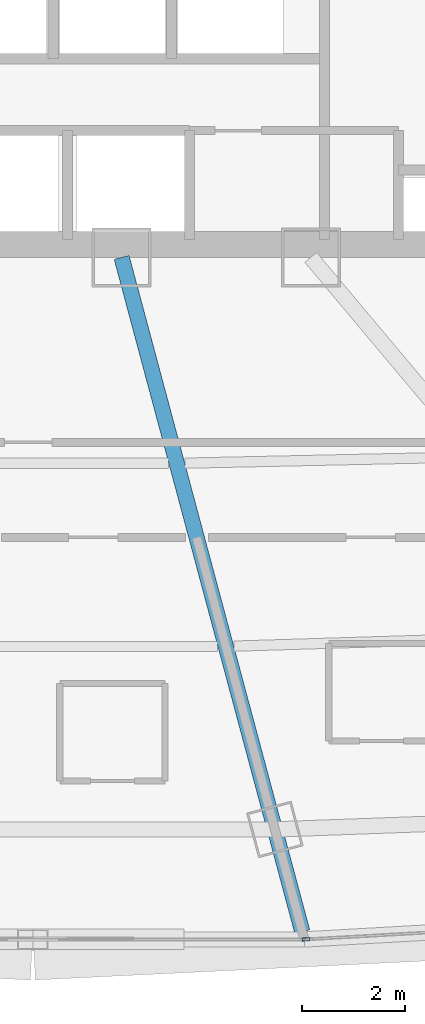
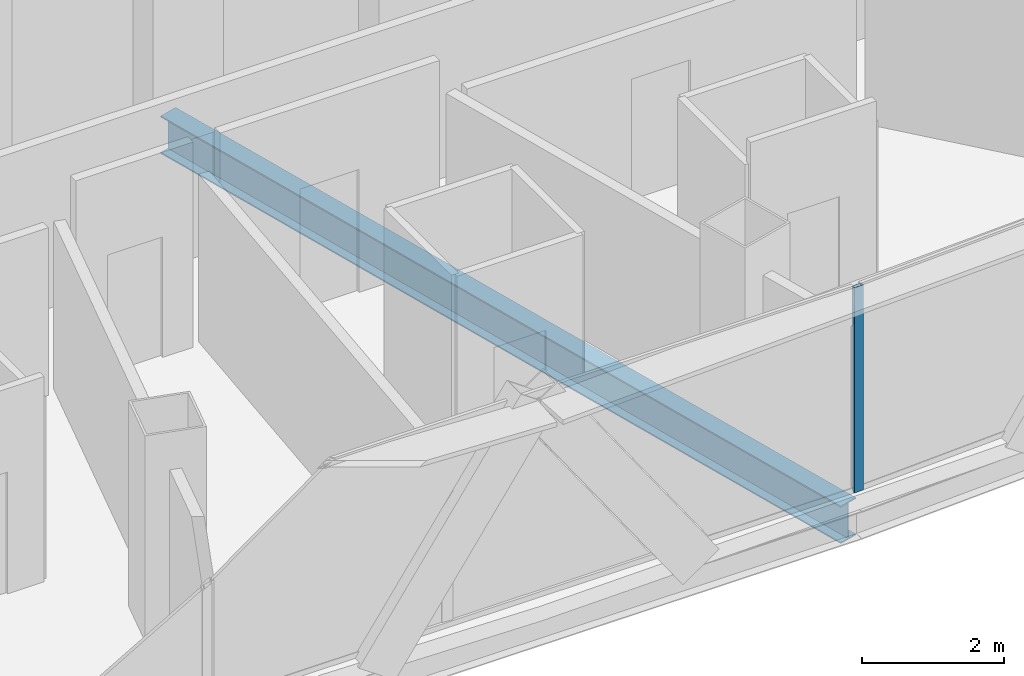
# One storey, part 12 of 40: 1 beam, 1 member, 1 element without a shape of its own.
"""IFC4 building model written with IfcOpenShell, lengths in metres."""

from ifc_helpers import new_model, si_unit, direction, frame, origin, origin_2d, place, context, subcontext, project, spatial, hollow_rectangle, i_section, extrude, source, transform, mapped, material, layer, layer_set, material_profile, profile_set, type_object, element, aggregate, save


model = new_model("IFC4")

# Units and contexts
model_context = context("Model", 3, precision=1e-05, world=origin(), true_north=direction((0.0, 1.0)))
body_context = subcontext(model_context, "Body", "Model", "MODEL_VIEW")
ifc_project = project(units=[si_unit("LENGTHUNIT", "METRE"), si_unit("AREAUNIT", "SQUARE_METRE"), si_unit("VOLUMEUNIT", "CUBIC_METRE"), si_unit("PLANEANGLEUNIT", "RADIAN"), si_unit("MASSUNIT", "GRAM", prefix="KILO"), si_unit("THERMODYNAMICTEMPERATUREUNIT", "KELVIN"), si_unit("POWERUNIT", "WATT")], contexts=[model_context])

# Site, building, storey
site_placement = place(None, origin())
site = spatial("IfcSite", under=ifc_project, at=site_placement, CompositionType="ELEMENT")
building_placement = place(site_placement, origin())
building = spatial("IfcBuilding", under=site, at=building_placement, Name="Yunzhuo Pagoda Commons", CompositionType="ELEMENT")
storey_placement = place(building_placement, frame((0.0, 0.0, 180.9599609375)))
storey = spatial("IfcBuildingStorey", under=building, at=storey_placement, Name="L45", CompositionType="ELEMENT", Elevation=180.9599609375)

# Beam
ifc_material_1 = material(Name="Structural steel Q355B", Category="steel")
ifc_material_profile_1 = material_profile(ifc_material_1, i_section(OverallWidth=0.300048828125, OverallDepth=0.64990234375, WebThickness=0.012939453125, FlangeThickness=0.02197265625, at=origin_2d()), Name="Structural steel Q355B")
ifc_profile_set_1 = profile_set([ifc_material_profile_1], Name="Structural steel Q355B")
beam_type = type_object("IfcBeamType", Name="B-RG2 Beam HN 650x300x13x22", PredefinedType="BEAM", material=ifc_profile_set_1)
shared_shape_1 = source(origin(), body_context, "Body", "SweptSolid", [
    extrude(i_section(OverallWidth=0.300048828125, OverallDepth=0.64990234375, WebThickness=0.012939453125, FlangeThickness=0.02197265625, at=origin_2d()), origin(), (0.0, 0.0, 1.0), 13.593017578125),
])
beam_placement = place(storey_placement, frame((53.246337890625, 14.1201171875, -0.5849609375), z_axis=(-0.25879713325, 0.965931697286, 0.0), x_axis=(-0.965931697286, -0.25879713325, 0.0)))
element("IfcBeam", 1, at=beam_placement, inside=storey, type_object=beam_type, Name="L45 radial floor girder F1C3", PredefinedType="BEAM", context=body_context, shape_type="MappedRepresentation", body=[
    mapped(shared_shape_1, transform((0.0, 0.0, 0.0), scale=1.0)),
])

# Curtain wall, member
ifc_material_2 = material(Name="Anodized aluminium 6063-T6", Category="aluminium")
ifc_layer = layer(ifc_material_2, 0.14990234375)
ifc_layer_set = layer_set([ifc_layer], Name="Anodized aluminium 6063-T6")
curtain_wall_type = type_object("IfcCurtainWallType", Name="CW-MID Mid-Zone Ribbon Curtain Wall", PredefinedType="NOTDEFINED", material=ifc_layer_set)
curtain_wall_placement = place(storey_placement, origin())
curtain_wall = element("IfcCurtainWall", 2, at=curtain_wall_placement, inside=storey, type_object=curtain_wall_type, Name="L45 curtain wall CW-L45-F1B4", PredefinedType="NOTDEFINED")
ifc_material_profile_2 = material_profile(ifc_material_2, hollow_rectangle(XDim=0.06005859375, YDim=0.14990234375, WallThickness=0.00390625, at=origin_2d()), Name="Anodized aluminium 6063-T6")
ifc_profile_set_2 = profile_set([ifc_material_profile_2], Name="Anodized aluminium 6063-T6")
member_type = type_object("IfcMemberType", Name="CW-MID-M Mullion RHS 150x60x4", PredefinedType="MULLION", material=ifc_profile_set_2)
shared_shape_2 = source(origin(), body_context, "Body", "SweptSolid", [
    extrude(hollow_rectangle(XDim=0.06005859375, YDim=0.14990234375, WallThickness=0.00390625, at=origin_2d()), origin(), (0.0, 0.0, 1.0), 3.5400390625),
])
member_placement = place(storey_placement, frame((53.31640625, 13.97216796875, 0.0), z_axis=(0.0, 0.0, 1.0), x_axis=(-0.056142665584, 0.998422756702, 0.0)))
member = element("IfcMember", 3, at=member_placement, type_object=member_type, Name="CW mullion 1", PredefinedType="MULLION", context=body_context, shape_type="MappedRepresentation", body=[
    mapped(shared_shape_2, transform((0.0, 0.0, 0.0), scale=1.0)),
])
aggregate(curtain_wall, [member])

save(model, "model.ifc")
